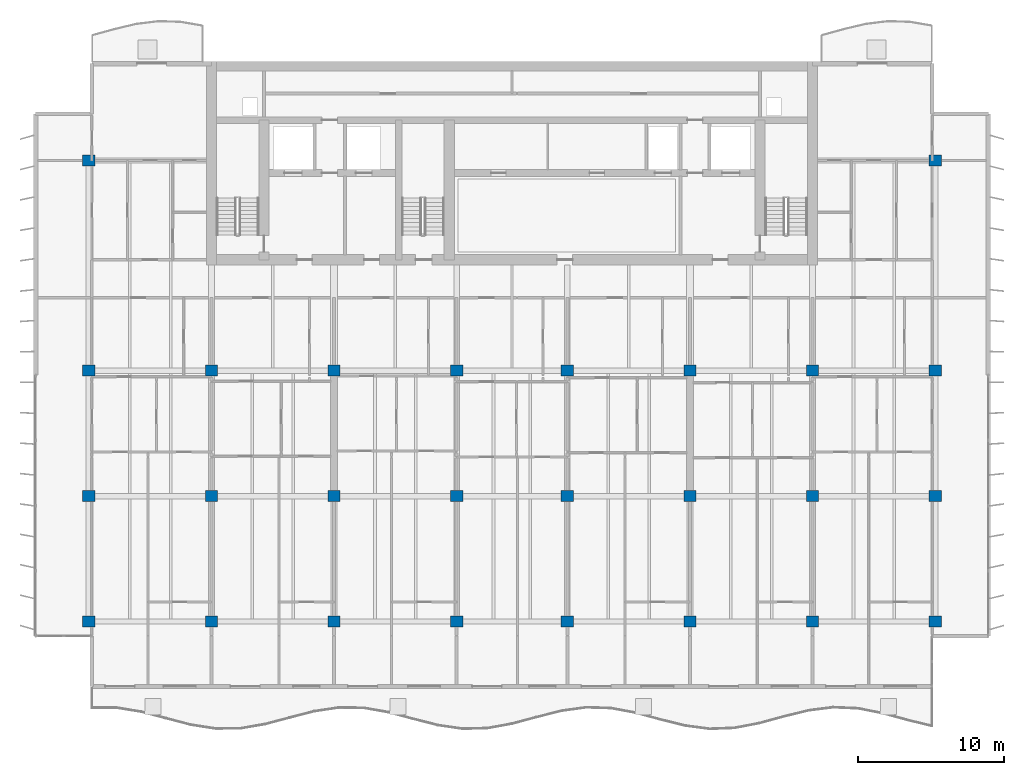
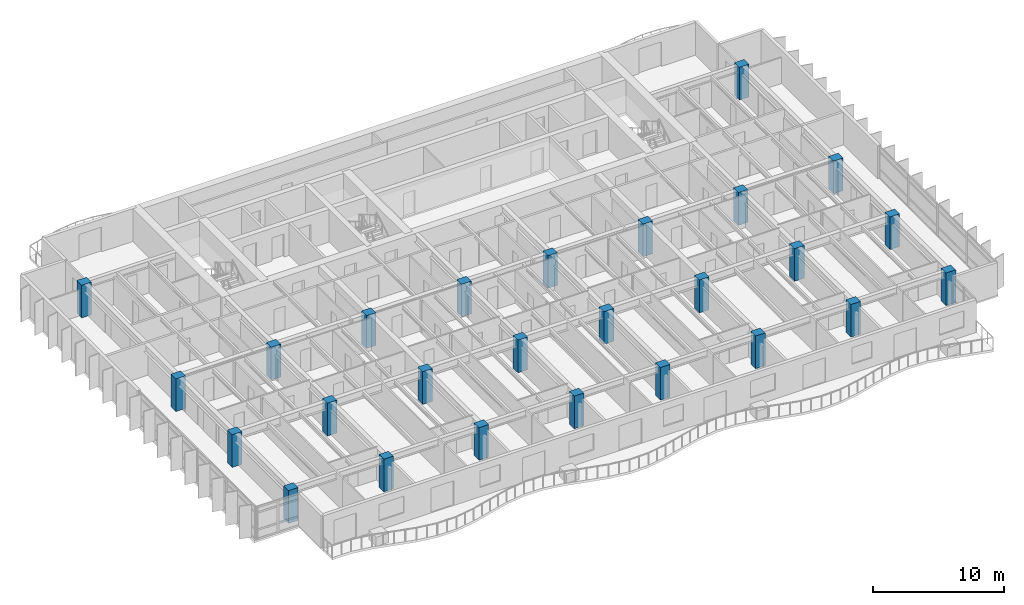
# One storey, part 1 of 19: 26 columns.
"""IFC4 building model written with IfcOpenShell, lengths in metres."""

from ifc_helpers import new_model, si_unit, direction, frame, origin, origin_2d, place, context, subcontext, project, spatial, rectangle, extrude, material, material_profile, profile_set, type_object, element, save


model = new_model("IFC4")

# Units and contexts
model_context = context("Model", 3, precision=1e-05, world=origin(), true_north=direction((0.0, 1.0)))
body_context = subcontext(model_context, "Body", "Model", "MODEL_VIEW")
ifc_project = project(units=[si_unit("LENGTHUNIT", "METRE"), si_unit("AREAUNIT", "SQUARE_METRE"), si_unit("VOLUMEUNIT", "CUBIC_METRE"), si_unit("PLANEANGLEUNIT", "RADIAN"), si_unit("MASSUNIT", "GRAM", prefix="KILO")], contexts=[model_context])

# Site, building, storey
site_placement = place(None, origin())
site = spatial("IfcSite", under=ifc_project, at=site_placement, CompositionType="ELEMENT")
building_placement = place(site_placement, origin())
building = spatial("IfcBuilding", under=site, at=building_placement, Name="Caelmar Bay Residences", CompositionType="ELEMENT")
storey_placement = place(building_placement, frame((0.0, 0.0, 214.800048828125)))
storey = spatial("IfcBuildingStorey", under=building, at=storey_placement, Name="L60", CompositionType="ELEMENT", Elevation=214.800048828125)

# Columns
ifc_material = material(Name="Concrete f'c 55 MPa (8,000 psi)", Category="concrete")
ifc_material_profile = material_profile(ifc_material, rectangle(XDim=0.85009765625, YDim=0.75, at=origin_2d()), Name="RC-COL-850X750")
ifc_profile_set = profile_set([ifc_material_profile], Name="Concrete f'c 55 MPa (8,000 psi)")
column_type = type_object("IfcColumnType", Name="COL-RC-850X750", PredefinedType="COLUMN", material=ifc_profile_set)
for number, where, z_axis, x_axis, name in (
    (1, (9.89990234375, 12.199951171875, 0.0), (0.0, 0.0, 1.0), (1.0, 0.0, 0.0), "L60 Column (9.90,12.20)"),
    (2, (18.300048828125, 12.199951171875, 0.0), (0.0, 0.0, 1.0), (1.0, 0.0, 0.0), "L60 Column (18.30,12.20)"),
    (3, (26.699951171875, 12.199951171875, 0.0), (0.0, 0.0, 1.0), (1.0, 0.0, 0.0), "L60 Column (26.70,12.20)"),
    (4, (35.10009765625, 12.199951171875, 0.0), (0.0, 0.0, 1.0), (1.0, 0.0, 0.0), "L60 Column (35.10,12.20)"),
    (5, (42.699951171875, 12.199951171875, 0.0), (0.0, 0.0, 1.0), (1.0, 0.0, 0.0), "L60 Column (42.70,12.20)"),
    (6, (51.10009765625, 12.199951171875, 0.0), (0.0, 0.0, 1.0), (1.0, 0.0, 0.0), "L60 Column (51.10,12.20)"),
    (7, (59.5, 12.199951171875, 0.0), (0.0, 0.0, 1.0), (1.0, 0.0, 0.0), "L60 Column (59.50,12.20)"),
    (8, (67.89990234375, 12.199951171875, 0.0), (0.0, 0.0, 1.0), (1.0, 0.0, 0.0), "L60 Column (67.90,12.20)"),
    (9, (9.89990234375, 20.800048828125, 0.0), (0.0, 0.0, 1.0), (1.0, 0.0, 0.0), "L60 Column (9.90,20.80)"),
    (10, (18.300048828125, 20.800048828125, 0.0), (0.0, 0.0, 1.0), (1.0, 0.0, 0.0), "L60 Column (18.30,20.80)"),
    (11, (26.699951171875, 20.800048828125, 0.0), (0.0, 0.0, 1.0), (1.0, 0.0, 0.0), "L60 Column (26.70,20.80)"),
    (12, (35.10009765625, 20.800048828125, 0.0), (0.0, 0.0, 1.0), (1.0, 0.0, 0.0), "L60 Column (35.10,20.80)"),
    (13, (42.699951171875, 20.800048828125, 0.0), (0.0, 0.0, 1.0), (1.0, 0.0, 0.0), "L60 Column (42.70,20.80)"),
    (14, (51.10009765625, 20.800048828125, 0.0), (0.0, 0.0, 1.0), (1.0, 0.0, 0.0), "L60 Column (51.10,20.80)"),
    (15, (59.5, 20.800048828125, 0.0), (0.0, 0.0, 1.0), (1.0, 0.0, 0.0), "L60 Column (59.50,20.80)"),
    (16, (67.89990234375, 20.800048828125, 0.0), (0.0, 0.0, 1.0), (1.0, 0.0, 0.0), "L60 Column (67.90,20.80)"),
    (17, (9.89990234375, 29.39990234375, 0.0), (0.0, 0.0, 1.0), (1.0, 0.0, 0.0), "L60 Column (9.90,29.40)"),
    (18, (18.300048828125, 29.39990234375, 0.0), (0.0, 0.0, 1.0), (1.0, 0.0, 0.0), "L60 Column (18.30,29.40)"),
    (19, (26.699951171875, 29.39990234375, 0.0), (0.0, 0.0, 1.0), (1.0, 0.0, 0.0), "L60 Column (26.70,29.40)"),
    (20, (35.10009765625, 29.39990234375, 0.0), (0.0, 0.0, 1.0), (1.0, 0.0, 0.0), "L60 Column (35.10,29.40)"),
    (21, (42.699951171875, 29.39990234375, 0.0), (0.0, 0.0, 1.0), (1.0, 0.0, 0.0), "L60 Column (42.70,29.40)"),
    (22, (51.10009765625, 29.39990234375, 0.0), (0.0, 0.0, 1.0), (1.0, 0.0, 0.0), "L60 Column (51.10,29.40)"),
    (23, (59.5, 29.39990234375, 0.0), (0.0, 0.0, 1.0), (1.0, 0.0, 0.0), "L60 Column (59.50,29.40)"),
    (24, (67.89990234375, 29.39990234375, 0.0), (0.0, 0.0, 1.0), (1.0, 0.0, 0.0), "L60 Column (67.90,29.40)"),
    (25, (9.89990234375, 43.800048828125, 0.0), (0.0, 0.0, 1.0), (1.0, 0.0, 0.0), "L60 Column (9.90,43.80)"),
    (26, (67.89990234375, 43.800048828125, 0.0), (0.0, 0.0, 1.0), (1.0, 0.0, 0.0), "L60 Column (67.90,43.80)"),
):
    element("IfcColumn", number, at=place(storey_placement, frame(where, z_axis=z_axis, x_axis=x_axis)), inside=storey, type_object=column_type, Name=name, PredefinedType="COLUMN", context=body_context, shape_type="SweptSolid", body=[
        extrude(rectangle(XDim=0.85009765625, YDim=0.75, at=origin_2d()), origin(), (0.0, 0.0, 1.0), 3.050048828125),
    ])

save(model, "model.ifc")
